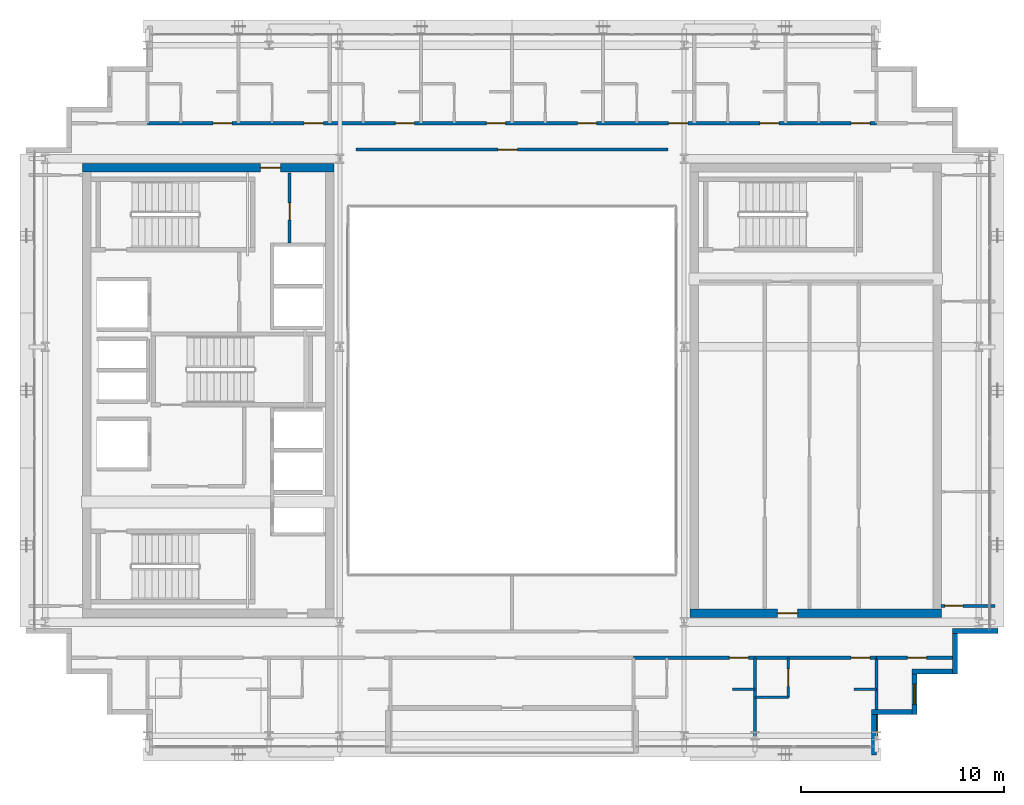
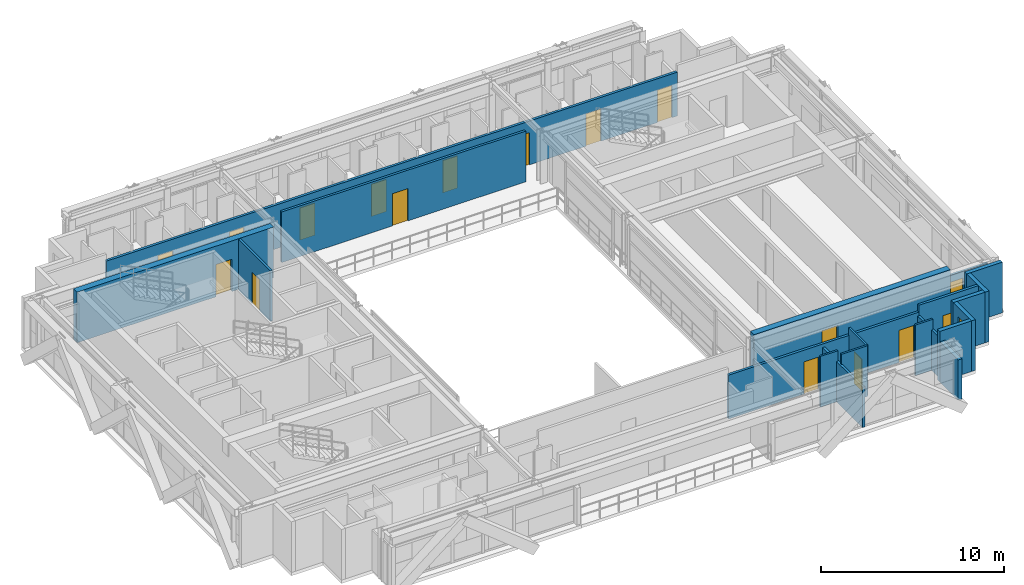
# One storey, part 23 of 29: 20 walls, 17 doors, 1 window, 18 openings.
"""IFC4 building model written with IfcOpenShell, lengths in metres."""

import ifcopenshell
import ifcopenshell.guid

model = None  # the IFC model being written
_history = None  # IfcOwnerHistory: only IFC2X3 demands one
_inside = {}  # id of a spatial element -> (the spatial element, [elements in it])
_under = {}  # id of a project, library or spatial element -> (it, [spatial elements below it])
_declared = {}  # id of a project -> (the project, [libraries it declares])
_typed = {}  # id of a type object -> (the type object, [elements of that type])
_made_of = {}  # id of a material, layer set ... -> (it, [elements and type objects made of it])


def new_model(schema):
    """Start an empty IFC model of exactly this schema.

    Asked for "IFC4X3", IfcOpenShell would pick the latest addendum, in which some entities
    have other attributes; the version numbers below select the first issue.
    IFC2X3 requires an IfcOwnerHistory on every rooted entity: one is made here for all.
    """
    global model, _history
    if schema == "IFC4X3":
        model = ifcopenshell.file(schema_version=(4, 3, 0, 0))
    else:
        model = ifcopenshell.file(schema=schema)
    _inside.clear()
    _under.clear()
    _declared.clear()
    _typed.clear()
    _made_of.clear()
    _history = None
    if model.schema == "IFC2X3":
        org = make("IfcOrganization", Name="unknown")
        user = make(
            "IfcPersonAndOrganization",
            ThePerson=make("IfcPerson", FamilyName="unknown"),
            TheOrganization=org,
        )
        app = make(
            "IfcApplication",
            ApplicationDeveloper=org,
            Version="unknown",
            ApplicationFullName="unknown",
            ApplicationIdentifier="unknown",
        )
        _history = make(
            "IfcOwnerHistory",
            OwningUser=user,
            OwningApplication=app,
            ChangeAction="ADDED",
            CreationDate=0,
        )
    return model


def make(cls, **values):
    """One entity of the class cls with the attributes given. An attribute that is None is left unset."""
    return model.create_entity(
        cls, **{name: value for name, value in values.items() if value is not None}
    )


def rooted(cls, **values):
    """An entity with a GlobalId (a new one), such as an element, a storey or a relation."""
    return make(cls, GlobalId=ifcopenshell.guid.new(), OwnerHistory=_history, **values)


def si_unit(unit_type, name, prefix=None):
    """IfcSIUnit, for example si_unit("LENGTHUNIT", "METRE", prefix="MILLI")."""
    return make("IfcSIUnit", UnitType=unit_type, Prefix=prefix, Name=name)


def assignment(units):
    """IfcUnitAssignment: the units of a project."""
    return None if units is None else make("IfcUnitAssignment", Units=units)


def point(xyz):
    """IfcCartesianPoint."""
    return None if xyz is None else make("IfcCartesianPoint", Coordinates=xyz)


def direction(xyz):
    """IfcDirection."""
    return None if xyz is None else make("IfcDirection", DirectionRatios=xyz)


def frame(location, z_axis=None, x_axis=None):
    """IfcAxis2Placement3D, a coordinate frame: its origin and axes. An axis left out is left unset."""
    return make(
        "IfcAxis2Placement3D",
        Location=point(location),
        Axis=direction(z_axis),
        RefDirection=direction(x_axis),
    )


def frame_2d(location, x_axis=None):
    """IfcAxis2Placement2D, a coordinate frame in the plane: its origin and x axis."""
    return make(
        "IfcAxis2Placement2D", Location=point(location), RefDirection=direction(x_axis)
    )


def origin():
    """The frame at (0, 0, 0) with its axes left unset."""
    return frame((0.0, 0.0, 0.0))


def place(relative_to, where):
    """IfcLocalPlacement: puts the frame where relative to a parent placement (None: the world)."""
    return make(
        "IfcLocalPlacement", PlacementRelTo=relative_to, RelativePlacement=where
    )


def context(
    kind, dimensions, precision=None, world=None, true_north=None, identifier=None
):
    """IfcGeometricRepresentationContext, for example the 3D "Model" context."""
    return make(
        "IfcGeometricRepresentationContext",
        ContextIdentifier=identifier,
        ContextType=kind,
        CoordinateSpaceDimension=dimensions,
        Precision=precision,
        WorldCoordinateSystem=world,
        TrueNorth=true_north,
    )


def subcontext(parent, identifier, kind, view, scale=None):
    """IfcGeometricRepresentationSubContext, for example "Body" below "Model"."""
    return make(
        "IfcGeometricRepresentationSubContext",
        ContextIdentifier=identifier,
        ContextType=kind,
        ParentContext=parent,
        TargetScale=scale,
        TargetView=view,
    )


def project(units=None, contexts=None):
    """IfcProject with its units and contexts."""
    return rooted(
        "IfcProject",
        Name="project",
        RepresentationContexts=contexts,
        UnitsInContext=assignment(units),
    )


def spatial(cls, under=None, at=None, **own):
    """A site, building, storey or space (cls), placed at a placement, below another one or the project."""
    s = rooted(cls, ObjectPlacement=at, **own)
    if under is not None:
        _under.setdefault(under.id(), (under, []))[1].append(s)
    return s


def profile(cls, at=None, kind="AREA", **sizes):
    """A parametric profile (cls). Its sizes go by their IFC names, for example OverallWidth=200.0."""
    return make(cls, ProfileType=kind, Position=at, **sizes)


def rectangle(**sizes):
    """IfcRectangleProfileDef."""
    return profile("IfcRectangleProfileDef", **sizes)


def extrude(swept, where, along, depth):
    """IfcExtrudedAreaSolid: the profile swept, set in the frame where, extruded along a direction by depth."""
    return make(
        "IfcExtrudedAreaSolid",
        SweptArea=swept,
        Position=where,
        ExtrudedDirection=direction(along),
        Depth=depth,
    )


def shape(context_of_items, identifier, shape_type, items):
    """IfcShapeRepresentation: the items that make up one representation, for example the "Body"."""
    return make(
        "IfcShapeRepresentation",
        ContextOfItems=context_of_items,
        RepresentationIdentifier=identifier,
        RepresentationType=shape_type,
        Items=items,
    )


def source(mapping_origin, context_of_items, identifier, shape_type, items):
    """IfcRepresentationMap: a shape defined once, which mapped items show again and again."""
    return make(
        "IfcRepresentationMap",
        MappingOrigin=mapping_origin,
        MappedRepresentation=shape(context_of_items, identifier, shape_type, items),
    )


def transform(
    local_origin,
    x_axis=None,
    y_axis=None,
    z_axis=None,
    scale=None,
    scale2=None,
    scale3=None,
    uniform=True,
):
    """IfcCartesianTransformationOperator3D, or its non-uniform kind. x_axis, y_axis, z_axis: its Axis1, 2, 3."""
    if uniform:
        return make(
            "IfcCartesianTransformationOperator3D",
            Axis1=direction(x_axis),
            Axis2=direction(y_axis),
            LocalOrigin=point(local_origin),
            Scale=scale,
            Axis3=direction(z_axis),
        )
    return make(
        "IfcCartesianTransformationOperator3DnonUniform",
        Axis1=direction(x_axis),
        Axis2=direction(y_axis),
        LocalOrigin=point(local_origin),
        Scale=scale,
        Axis3=direction(z_axis),
        Scale2=scale2,
        Scale3=scale3,
    )


def mapped(mapping_source, mapping_target):
    """IfcMappedItem: shows the shape of a source again, moved by a transform."""
    return make(
        "IfcMappedItem", MappingSource=mapping_source, MappingTarget=mapping_target
    )


def material(Name=None, Category=None):
    """IfcMaterial."""
    return make("IfcMaterial", Name=Name, Category=Category)


def layer(
    of_material, thickness, ventilated=None, Name=None, Category=None, Priority=None
):
    """IfcMaterialLayer: one layer of a wall or slab, of a material (None: an air gap)."""
    return make(
        "IfcMaterialLayer",
        Material=of_material,
        LayerThickness=thickness,
        IsVentilated=ventilated,
        Name=Name,
        Category=Category,
        Priority=Priority,
    )


def layer_set(layers, Name=None):
    """IfcMaterialLayerSet."""
    return make("IfcMaterialLayerSet", MaterialLayers=layers, LayerSetName=Name)


def made_of(thing, what):
    """Note that an element or type object is made of a material, layer set ...; save() writes the relation."""
    if what is not None:
        _made_of.setdefault(what.id(), (what, []))[1].append(thing)
    return thing


def type_object(cls, material=None, **own):
    """A type object (cls), such as IfcWallType, which elements share."""
    return made_of(rooted(cls, **own), material)


def element(
    cls,
    number,
    at=None,
    inside=None,
    cuts=None,
    type_object=None,
    material=None,
    context=None,
    identifier="Body",
    shape_type=None,
    held_by="IfcProductDefinitionShape",
    body=None,
    shapes=None,
    **own,
):
    """One element of the class cls, such as IfcWall. Its Tag is "e" and its number.

    at: its placement. inside: the storey or other place that contains it. cuts: it is an
    opening in that element (IfcRelVoidsElement). A single representation is given by context,
    identifier, shape_type and body (its items); several are given by shapes. held_by: the class
    of the entity that holds the representations. save() writes the other relations.
    """
    e = rooted(cls, Tag="e%d" % number, ObjectPlacement=at, **own)
    if body is not None:
        shapes = [shape(context, identifier, shape_type, body)]
    if shapes is not None:
        e.Representation = make(held_by, Representations=shapes)
    if inside is not None:
        _inside.setdefault(inside.id(), (inside, []))[1].append(e)
    if cuts is not None:
        rooted(
            "IfcRelVoidsElement", RelatingBuildingElement=cuts, RelatedOpeningElement=e
        )
    if type_object is not None:
        _typed.setdefault(type_object.id(), (type_object, []))[1].append(e)
    return made_of(e, material)


def fill(opening, filler):
    """IfcRelFillsElement: the door or window that sits in an opening."""
    return rooted(
        "IfcRelFillsElement",
        RelatingOpeningElement=opening,
        RelatedBuildingElement=filler,
    )


def aggregate(whole, parts):
    """IfcRelAggregates: a whole, such as a stair, and the parts it consists of."""
    return rooted("IfcRelAggregates", RelatingObject=whole, RelatedObjects=parts)


def save(model, path):
    """Write the relations noted so far, then the file.

    IfcRelAggregates (storeys below a building ...), IfcRelContainedInSpatialStructure (elements
    in a storey), IfcRelDefinesByType, IfcRelAssociatesMaterial and IfcRelDeclares: one each for
    every whole, place, type object, material and project.
    """
    for whole, parts in _under.values():
        aggregate(whole, parts)
    for where, things in _inside.values():
        rooted(
            "IfcRelContainedInSpatialStructure",
            RelatedElements=things,
            RelatingStructure=where,
        )
    for kind, things in _typed.values():
        rooted("IfcRelDefinesByType", RelatedObjects=things, RelatingType=kind)
    for what, things in _made_of.values():
        rooted("IfcRelAssociatesMaterial", RelatedObjects=things, RelatingMaterial=what)
    for by, libraries in _declared.values():
        rooted("IfcRelDeclares", RelatingContext=by, RelatedDefinitions=libraries)
    model.write(path)


model = new_model("IFC4")

# Units and contexts
model_context = context("Model", 3, precision=1e-05, world=origin(), true_north=direction((0.0, 1.0)))
body_context = subcontext(model_context, "Body", "Model", "MODEL_VIEW")
ifc_project = project(units=[si_unit("LENGTHUNIT", "METRE"), si_unit("AREAUNIT", "SQUARE_METRE"), si_unit("VOLUMEUNIT", "CUBIC_METRE"), si_unit("PLANEANGLEUNIT", "RADIAN"), si_unit("MASSUNIT", "GRAM", prefix="KILO")], contexts=[model_context])

# Site, building, storey
site_placement = place(None, origin())
site = spatial("IfcSite", under=ifc_project, at=site_placement, CompositionType="ELEMENT")
building_placement = place(site_placement, origin())
building = spatial("IfcBuilding", under=site, at=building_placement, Name="Ocotamira Hotel", CompositionType="ELEMENT")
storey_placement = place(building_placement, frame((0.0, 0.0, 236.39990234375)))
storey = spatial("IfcBuildingStorey", under=building, at=storey_placement, Name="L59", CompositionType="ELEMENT", Elevation=236.39990234375)

# Wall, opening, door
ifc_material_1 = material(Name="Concrete C50/60", Category="concrete")
ifc_layer_1 = layer(ifc_material_1, 0.39990234375)
ifc_layer_set_1 = layer_set([ifc_layer_1], Name="Concrete C50/60")
wall_type_1 = type_object("IfcWallType", Name="WL-CORE-400", PredefinedType="SHEAR", material=ifc_layer_set_1)
wall_1_placement = place(storey_placement, frame((10.800048828125, 37.0, 0.0), z_axis=(0.0, 0.0, 1.0), x_axis=(1.0, 0.0, 0.0)))
wall_1 = element("IfcWall", 1, at=wall_1_placement, inside=storey, type_object=wall_type_1, Name="L59 Shear Core Wall WCORE-N", PredefinedType="SHEAR", context=body_context, shape_type="SweptSolid", body=[
    extrude(rectangle(XDim=12.39990234375, YDim=0.39990234375, at=frame_2d((6.199951171875, 0.0))), origin(), (0.0, 0.0, 1.0), 3.380126953125),
])
opening_1_placement = place(wall_1_placement, frame((8.780029296875, 0.0, 0.0)))
opening_1 = element("IfcOpeningElement", 2, at=opening_1_placement, cuts=wall_1, Name="Opening D-FR2", PredefinedType="OPENING", context=body_context, shape_type="SweptSolid", body=[
    extrude(rectangle(XDim=1.0, YDim=2.14990234375, at=frame_2d((0.5, 1.074951171875))), frame((0.0, 0.2099609375, 0.0), z_axis=(0.0, -1.0, 0.0), x_axis=(1.0, 0.0, 0.0)), (0.0, 0.0, 1.0), 0.419921875),
])
ifc_material_2 = material(Name="Fire-rated acoustic timber-veneer door", Category="wood")
door_type_1 = type_object("IfcDoorType", Name="DR-FIRE-1000", OperationType="NOTDEFINED", PredefinedType="DOOR", material=ifc_material_2)
shared_shape_1 = source(origin(), body_context, "Body", "SweptSolid", [
    extrude(rectangle(XDim=1.0, YDim=2.14990234375, at=frame_2d((0.5, 1.074951171875))), frame((0.0, 0.02490234375, 0.0), z_axis=(0.0, -1.0, 0.0), x_axis=(1.0, 0.0, 0.0)), (0.0, 0.0, 1.0), 0.050048828125),
])
door_1_placement = place(opening_1_placement, origin())
door_1 = element("IfcDoor", 3, at=door_1_placement, inside=storey, type_object=door_type_1, Name="L59 Door ID-L59-WLOB-N-D [ID-L59-WLOB-N-D]", OperationType="SINGLE_SWING_RIGHT", OverallHeight=2.14990234375, OverallWidth=1.0, PredefinedType="DOOR", context=body_context, shape_type="MappedRepresentation", body=[
    mapped(shared_shape_1, transform((0.0, 0.0, 0.0), scale=1.0)),
])
fill(opening_1, door_1)

wall_2_placement = place(storey_placement, frame((40.800048828125, 15.0, 0.0), z_axis=(0.0, 0.0, 1.0), x_axis=(1.0, 0.0, 0.0)))
wall_2 = element("IfcWall", 4, at=wall_2_placement, inside=storey, type_object=wall_type_1, Name="L59 Shear Core Wall ECORE-S", PredefinedType="SHEAR", context=body_context, shape_type="SweptSolid", body=[
    extrude(rectangle(XDim=12.39990234375, YDim=0.39990234375, at=frame_2d((6.199951171875, 0.0))), origin(), (0.0, 0.0, 1.0), 3.380126953125),
])
opening_2_placement = place(wall_2_placement, frame((4.300048828125, 0.0, 0.0)))
opening_2 = element("IfcOpeningElement", 5, at=opening_2_placement, cuts=wall_2, Name="Opening D-FR2", PredefinedType="OPENING", context=body_context, shape_type="SweptSolid", body=[
    extrude(rectangle(XDim=1.0, YDim=2.14990234375, at=frame_2d((0.5, 1.074951171875))), frame((0.0, 0.2099609375, 0.0), z_axis=(0.0, -1.0, 0.0), x_axis=(1.0, 0.0, 0.0)), (0.0, 0.0, 1.0), 0.419921875),
])
door_2_placement = place(opening_2_placement, origin())
door_2 = element("IfcDoor", 6, at=door_2_placement, inside=storey, type_object=door_type_1, Name="L59 Door ID-L59-ELOB-S-D [ID-L59-ELOB-S-D]", OperationType="SINGLE_SWING_RIGHT", OverallHeight=2.14990234375, OverallWidth=1.0, PredefinedType="DOOR", context=body_context, shape_type="MappedRepresentation", body=[
    mapped(shared_shape_1, transform((0.0, 0.0, 0.0), scale=1.0)),
])
fill(opening_2, door_2)

# Walls
ifc_material_3 = material(Name="Precast concrete C45/55", Category="concrete")
ifc_layer_2 = layer(ifc_material_3, 0.25)
ifc_layer_set_2 = layer_set([ifc_layer_2], Name="Precast concrete C45/55")
wall_type_2 = type_object("IfcWallType", Name="WL-EXT-SER-250", PredefinedType="SOLIDWALL", material=ifc_layer_set_2)
wall_3_placement = place(storey_placement, frame((49.875, 8.0, 0.0), z_axis=(0.0, 0.0, 1.0), x_axis=(0.0, 1.0, 0.0)))
element("IfcWall", 7, at=wall_3_placement, inside=storey, type_object=wall_type_2, Name="L59 Serrated Corner Wall 01", PredefinedType="SOLIDWALL", context=body_context, shape_type="SweptSolid", body=[
    extrude(rectangle(XDim=2.0, YDim=0.25, at=frame_2d((1.0, 0.0))), origin(), (0.0, 0.0, 1.0), 2.68701171875),
])
wall_4_placement = place(storey_placement, frame((49.75, 10.125, 0.0), z_axis=(0.0, 0.0, 1.0), x_axis=(1.0, 0.0, 0.0)))
element("IfcWall", 8, at=wall_4_placement, inside=storey, type_object=wall_type_2, Name="L59 Serrated Corner Wall 02", PredefinedType="SOLIDWALL", context=body_context, shape_type="SweptSolid", body=[
    extrude(rectangle(XDim=2.0, YDim=0.25, at=frame_2d((1.0, 0.0))), origin(), (0.0, 0.0, 1.0), 3.380126953125),
])

# Wall, opening, window
wall_5_placement = place(storey_placement, frame((51.875, 10.0, 0.0), z_axis=(0.0, 0.0, 1.0), x_axis=(0.0, 1.0, 0.0)))
wall_5 = element("IfcWall", 9, at=wall_5_placement, inside=storey, type_object=wall_type_2, Name="L59 Serrated Corner Wall 03", PredefinedType="SOLIDWALL", context=body_context, shape_type="SweptSolid", body=[
    extrude(rectangle(XDim=2.0, YDim=0.25, at=frame_2d((1.0, 0.0))), origin(), (0.0, 0.0, 1.0), 3.380126953125),
])
opening_3_placement = place(wall_5_placement, frame((0.5, 0.0, 0.85009765625)))
opening_3 = element("IfcOpeningElement", 10, at=opening_3_placement, cuts=wall_5, Name="Opening WN-2", PredefinedType="OPENING", context=body_context, shape_type="SweptSolid", body=[
    extrude(rectangle(XDim=1.0, YDim=1.89990234375, at=frame_2d((0.5, 0.949951171875))), frame((0.0, 0.135009765625, 0.0), z_axis=(0.0, -1.0, 0.0), x_axis=(1.0, 0.0, 0.0)), (0.0, 0.0, 1.0), 0.27001953125),
])
ifc_material_4 = material(Name="Double-silver low-E solar glass", Category="glass")
window_type = type_object("IfcWindowType", Name="WIN-SER-1100", PartitioningType="SINGLE_PANEL", PredefinedType="WINDOW", material=ifc_material_4)
shared_shape_2 = source(origin(), body_context, "Body", "SweptSolid", [
    extrude(rectangle(XDim=1.0, YDim=1.89990234375, at=frame_2d((0.5, 0.949951171875))), frame((0.0, 0.030029296875, 0.0), z_axis=(0.0, -1.0, 0.0), x_axis=(1.0, 0.0, 0.0)), (0.0, 0.0, 1.0), 0.06005859375),
])
window_placement = place(opening_3_placement, origin())
window = element("IfcWindow", 11, at=window_placement, inside=storey, type_object=window_type, Name="L59 Serrated Corner Window 03", OverallHeight=1.89990234375, OverallWidth=1.0, PartitioningType="SINGLE_PANEL", PredefinedType="WINDOW", context=body_context, shape_type="MappedRepresentation", body=[
    mapped(shared_shape_2, transform((0.0, 0.0, 0.0), scale=1.0)),
])
fill(opening_3, window)

# Walls
for number, where, z_axis, x_axis, name in (
    (12, (51.75, 12.125, 0.0), (0.0, 0.0, 1.0), (1.0, 0.0, 0.0), "L59 Serrated Corner Wall 04"),
    (13, (53.875, 12.0, 0.0), (0.0, 0.0, 1.0), (0.0, 1.0, 0.0), "L59 Serrated Corner Wall 05"),
):
    element("IfcWall", number, at=place(storey_placement, frame(where, z_axis=z_axis, x_axis=x_axis)), inside=storey, type_object=wall_type_2, Name=name, PredefinedType="SOLIDWALL", context=body_context, shape_type="SweptSolid", body=[
        extrude(rectangle(XDim=2.0, YDim=0.25, at=frame_2d((1.0, 0.0))), origin(), (0.0, 0.0, 1.0), 3.380126953125),
    ])
wall_6_placement = place(storey_placement, frame((53.75, 14.125, 0.0), z_axis=(0.0, 0.0, 1.0), x_axis=(1.0, 0.0, 0.0)))
element("IfcWall", 14, at=wall_6_placement, inside=storey, type_object=wall_type_2, Name="L59 Serrated Corner Wall 06", PredefinedType="SOLIDWALL", context=body_context, shape_type="SweptSolid", body=[
    extrude(rectangle(XDim=2.25, YDim=0.25, at=frame_2d((1.125, 0.0))), origin(), (0.0, 0.0, 1.0), 3.380126953125),
])

# Wall, openings, doors
ifc_material_5 = material(Name="Acoustic double-layer fire gypsum board partition", Category="gypsum")
ifc_layer_3 = layer(ifc_material_5, 0.159912109375)
ifc_layer_set_3 = layer_set([ifc_layer_3], Name="Acoustic double-layer fire gypsum board partition")
wall_type_3 = type_object("IfcWallType", Name="WL-FIRE-160", PredefinedType="PARTITIONING", material=ifc_layer_set_3)
wall_7_placement = place(storey_placement, frame((38.0, 12.800048828125, 0.0), z_axis=(0.0, 0.0, 1.0), x_axis=(1.0, 0.0, 0.0)))
wall_7 = element("IfcWall", 15, at=wall_7_placement, inside=storey, type_object=wall_type_3, Name="L59 Interior Wall PW-L59-Z4BSE-CORRW", PredefinedType="PARTITIONING", context=body_context, shape_type="SweptSolid", body=[
    extrude(rectangle(XDim=12.0, YDim=0.159912109375, at=frame_2d((6.0, 0.0))), origin(), (0.0, 0.0, 1.0), 2.923095703125),
])
opening_4_placement = place(wall_7_placement, frame((4.739990234375, 0.0, 0.0)))
opening_4 = element("IfcOpeningElement", 16, at=opening_4_placement, cuts=wall_7, Name="Opening D-GR1", PredefinedType="OPENING", context=body_context, shape_type="SweptSolid", body=[
    extrude(rectangle(XDim=0.93994140625, YDim=2.14990234375, at=frame_2d((0.469970703125, 1.074951171875))), frame((0.0, 0.08984375, 0.0), z_axis=(0.0, -1.0, 0.0), x_axis=(1.0, 0.0, 0.0)), (0.0, 0.0, 1.0), 0.179931640625),
])
opening_5_placement = place(wall_7_placement, frame((10.739990234375, 0.0, 0.0)))
opening_5 = element("IfcOpeningElement", 17, at=opening_5_placement, cuts=wall_7, Name="Opening D-GR1", PredefinedType="OPENING", context=body_context, shape_type="SweptSolid", body=[
    extrude(rectangle(XDim=0.93994140625, YDim=2.14990234375, at=frame_2d((0.469970703125, 1.074951171875))), frame((0.0, 0.08984375, 0.0), z_axis=(0.0, -1.0, 0.0), x_axis=(1.0, 0.0, 0.0)), (0.0, 0.0, 1.0), 0.179931640625),
])
ifc_material_6 = material(Name="Solid-core walnut suite entrance fire door", Category="wood")
door_type_2 = type_object("IfcDoorType", Name="DR-GUEST-940", OperationType="NOTDEFINED", PredefinedType="DOOR", material=ifc_material_6)
shared_shape_3 = source(origin(), body_context, "Body", "SweptSolid", [
    extrude(rectangle(XDim=0.93994140625, YDim=2.14990234375, at=frame_2d((0.469970703125, 1.074951171875))), frame((0.0, 0.02490234375, 0.0), z_axis=(0.0, -1.0, 0.0), x_axis=(1.0, 0.0, 0.0)), (0.0, 0.0, 1.0), 0.050048828125),
])
door_3_placement = place(opening_4_placement, origin())
door_3 = element("IfcDoor", 18, at=door_3_placement, inside=storey, type_object=door_type_2, Name="L59 Door ID-L59-Z4BSE-RMD1 [ID-L59-Z4BSE-RMD1]", OperationType="SINGLE_SWING_LEFT", OverallHeight=2.14990234375, OverallWidth=0.93994140625, PredefinedType="DOOR", context=body_context, shape_type="MappedRepresentation", body=[
    mapped(shared_shape_3, transform((0.0, 0.0, 0.0), scale=1.0)),
])
fill(opening_4, door_3)
door_4_placement = place(opening_5_placement, origin())
door_4 = element("IfcDoor", 19, at=door_4_placement, inside=storey, type_object=door_type_2, Name="L59 Door ID-L59-Z4BSE-RMD2 [ID-L59-Z4BSE-RMD2]", OperationType="SINGLE_SWING_RIGHT", OverallHeight=2.14990234375, OverallWidth=0.93994140625, PredefinedType="DOOR", context=body_context, shape_type="MappedRepresentation", body=[
    mapped(shared_shape_3, transform((0.0, 0.0, 0.0), scale=1.0)),
])
fill(opening_5, door_4)

wall_8_placement = place(storey_placement, frame((14.0, 39.199951171875, 0.0), z_axis=(0.0, 0.0, 1.0), x_axis=(1.0, 0.0, 0.0)))
wall_8 = element("IfcWall", 20, at=wall_8_placement, inside=storey, type_object=wall_type_3, Name="L59 Interior Wall PW-L59-Z4BN-CORRW", PredefinedType="PARTITIONING", context=body_context, shape_type="SweptSolid", body=[
    extrude(rectangle(XDim=36.0, YDim=0.159912109375, at=frame_2d((18.0, 0.0))), origin(), (0.0, 0.0, 1.0), 2.923095703125),
])
opening_6_placement = place(wall_8_placement, frame((3.239990234375, 0.0, 0.0)))
opening_6 = element("IfcOpeningElement", 21, at=opening_6_placement, cuts=wall_8, Name="Opening D-GR1", PredefinedType="OPENING", context=body_context, shape_type="SweptSolid", body=[
    extrude(rectangle(XDim=0.93994140625, YDim=2.14990234375, at=frame_2d((0.469970703125, 1.074951171875))), frame((0.0, 0.08984375, 0.0), z_axis=(0.0, -1.0, 0.0), x_axis=(1.0, 0.0, 0.0)), (0.0, 0.0, 1.0), 0.179931640625),
])
opening_7_placement = place(wall_8_placement, frame((7.739990234375, 0.0, 0.0)))
opening_7 = element("IfcOpeningElement", 22, at=opening_7_placement, cuts=wall_8, Name="Opening D-GR1", PredefinedType="OPENING", context=body_context, shape_type="SweptSolid", body=[
    extrude(rectangle(XDim=0.93994140625, YDim=2.14990234375, at=frame_2d((0.469970703125, 1.074951171875))), frame((0.0, 0.08984375, 0.0), z_axis=(0.0, -1.0, 0.0), x_axis=(1.0, 0.0, 0.0)), (0.0, 0.0, 1.0), 0.179931640625),
])
opening_8_placement = place(wall_8_placement, frame((12.239990234375, 0.0, 0.0)))
opening_8 = element("IfcOpeningElement", 23, at=opening_8_placement, cuts=wall_8, Name="Opening D-GR1", PredefinedType="OPENING", context=body_context, shape_type="SweptSolid", body=[
    extrude(rectangle(XDim=0.93994140625, YDim=2.14990234375, at=frame_2d((0.469970703125, 1.074951171875))), frame((0.0, 0.08984375, 0.0), z_axis=(0.0, -1.0, 0.0), x_axis=(1.0, 0.0, 0.0)), (0.0, 0.0, 1.0), 0.179931640625),
])
opening_9_placement = place(wall_8_placement, frame((16.739990234375, 0.0, 0.0)))
opening_9 = element("IfcOpeningElement", 24, at=opening_9_placement, cuts=wall_8, Name="Opening D-GR1", PredefinedType="OPENING", context=body_context, shape_type="SweptSolid", body=[
    extrude(rectangle(XDim=0.93994140625, YDim=2.14990234375, at=frame_2d((0.469970703125, 1.074951171875))), frame((0.0, 0.08984375, 0.0), z_axis=(0.0, -1.0, 0.0), x_axis=(1.0, 0.0, 0.0)), (0.0, 0.0, 1.0), 0.179931640625),
])
opening_10_placement = place(wall_8_placement, frame((21.239990234375, 0.0, 0.0)))
opening_10 = element("IfcOpeningElement", 25, at=opening_10_placement, cuts=wall_8, Name="Opening D-GR1", PredefinedType="OPENING", context=body_context, shape_type="SweptSolid", body=[
    extrude(rectangle(XDim=0.93994140625, YDim=2.14990234375, at=frame_2d((0.469970703125, 1.074951171875))), frame((0.0, 0.08984375, 0.0), z_axis=(0.0, -1.0, 0.0), x_axis=(1.0, 0.0, 0.0)), (0.0, 0.0, 1.0), 0.179931640625),
])
opening_11_placement = place(wall_8_placement, frame((25.739990234375, 0.0, 0.0)))
opening_11 = element("IfcOpeningElement", 26, at=opening_11_placement, cuts=wall_8, Name="Opening D-GR1", PredefinedType="OPENING", context=body_context, shape_type="SweptSolid", body=[
    extrude(rectangle(XDim=0.93994140625, YDim=2.14990234375, at=frame_2d((0.469970703125, 1.074951171875))), frame((0.0, 0.08984375, 0.0), z_axis=(0.0, -1.0, 0.0), x_axis=(1.0, 0.0, 0.0)), (0.0, 0.0, 1.0), 0.179931640625),
])
opening_12_placement = place(wall_8_placement, frame((30.239990234375, 0.0, 0.0)))
opening_12 = element("IfcOpeningElement", 27, at=opening_12_placement, cuts=wall_8, Name="Opening D-GR1", PredefinedType="OPENING", context=body_context, shape_type="SweptSolid", body=[
    extrude(rectangle(XDim=0.93994140625, YDim=2.14990234375, at=frame_2d((0.469970703125, 1.074951171875))), frame((0.0, 0.08984375, 0.0), z_axis=(0.0, -1.0, 0.0), x_axis=(1.0, 0.0, 0.0)), (0.0, 0.0, 1.0), 0.179931640625),
])
opening_13_placement = place(wall_8_placement, frame((34.739990234375, 0.0, 0.0)))
opening_13 = element("IfcOpeningElement", 28, at=opening_13_placement, cuts=wall_8, Name="Opening D-GR1", PredefinedType="OPENING", context=body_context, shape_type="SweptSolid", body=[
    extrude(rectangle(XDim=0.93994140625, YDim=2.14990234375, at=frame_2d((0.469970703125, 1.074951171875))), frame((0.0, 0.08984375, 0.0), z_axis=(0.0, -1.0, 0.0), x_axis=(1.0, 0.0, 0.0)), (0.0, 0.0, 1.0), 0.179931640625),
])
door_5_placement = place(opening_6_placement, origin())
door_5 = element("IfcDoor", 29, at=door_5_placement, inside=storey, type_object=door_type_2, Name="L59 Door ID-L59-Z4BN-RMD1 [ID-L59-Z4BN-RMD1]", OperationType="SINGLE_SWING_LEFT", OverallHeight=2.14990234375, OverallWidth=0.93994140625, PredefinedType="DOOR", context=body_context, shape_type="MappedRepresentation", body=[
    mapped(shared_shape_3, transform((0.0, 0.0, 0.0), scale=1.0)),
])
fill(opening_6, door_5)
door_6_placement = place(opening_7_placement, origin())
door_6 = element("IfcDoor", 30, at=door_6_placement, inside=storey, type_object=door_type_2, Name="L59 Door ID-L59-Z4BN-RMD2 [ID-L59-Z4BN-RMD2]", OperationType="SINGLE_SWING_RIGHT", OverallHeight=2.14990234375, OverallWidth=0.93994140625, PredefinedType="DOOR", context=body_context, shape_type="MappedRepresentation", body=[
    mapped(shared_shape_3, transform((0.0, 0.0, 0.0), scale=1.0)),
])
fill(opening_7, door_6)
door_7_placement = place(opening_8_placement, origin())
door_7 = element("IfcDoor", 31, at=door_7_placement, inside=storey, type_object=door_type_2, Name="L59 Door ID-L59-Z4BN-RMD3 [ID-L59-Z4BN-RMD3]", OperationType="SINGLE_SWING_LEFT", OverallHeight=2.14990234375, OverallWidth=0.93994140625, PredefinedType="DOOR", context=body_context, shape_type="MappedRepresentation", body=[
    mapped(shared_shape_3, transform((0.0, 0.0, 0.0), scale=1.0)),
])
fill(opening_8, door_7)
door_8_placement = place(opening_9_placement, origin())
door_8 = element("IfcDoor", 32, at=door_8_placement, inside=storey, type_object=door_type_2, Name="L59 Door ID-L59-Z4BN-RMD4 [ID-L59-Z4BN-RMD4]", OperationType="SINGLE_SWING_RIGHT", OverallHeight=2.14990234375, OverallWidth=0.93994140625, PredefinedType="DOOR", context=body_context, shape_type="MappedRepresentation", body=[
    mapped(shared_shape_3, transform((0.0, 0.0, 0.0), scale=1.0)),
])
fill(opening_9, door_8)
door_9_placement = place(opening_10_placement, origin())
door_9 = element("IfcDoor", 33, at=door_9_placement, inside=storey, type_object=door_type_2, Name="L59 Door ID-L59-Z4BN-RMD5 [ID-L59-Z4BN-RMD5]", OperationType="SINGLE_SWING_LEFT", OverallHeight=2.14990234375, OverallWidth=0.93994140625, PredefinedType="DOOR", context=body_context, shape_type="MappedRepresentation", body=[
    mapped(shared_shape_3, transform((0.0, 0.0, 0.0), scale=1.0)),
])
fill(opening_10, door_9)
door_10_placement = place(opening_11_placement, origin())
door_10 = element("IfcDoor", 34, at=door_10_placement, inside=storey, type_object=door_type_2, Name="L59 Door ID-L59-Z4BN-RMD6 [ID-L59-Z4BN-RMD6]", OperationType="SINGLE_SWING_RIGHT", OverallHeight=2.14990234375, OverallWidth=0.93994140625, PredefinedType="DOOR", context=body_context, shape_type="MappedRepresentation", body=[
    mapped(shared_shape_3, transform((0.0, 0.0, 0.0), scale=1.0)),
])
fill(opening_11, door_10)
door_11_placement = place(opening_12_placement, origin())
door_11 = element("IfcDoor", 35, at=door_11_placement, inside=storey, type_object=door_type_2, Name="L59 Door ID-L59-Z4BN-RMD7 [ID-L59-Z4BN-RMD7]", OperationType="SINGLE_SWING_LEFT", OverallHeight=2.14990234375, OverallWidth=0.93994140625, PredefinedType="DOOR", context=body_context, shape_type="MappedRepresentation", body=[
    mapped(shared_shape_3, transform((0.0, 0.0, 0.0), scale=1.0)),
])
fill(opening_12, door_11)
door_12_placement = place(opening_13_placement, origin())
door_12 = element("IfcDoor", 36, at=door_12_placement, inside=storey, type_object=door_type_2, Name="L59 Door ID-L59-Z4BN-RMD8 [ID-L59-Z4BN-RMD8]", OperationType="SINGLE_SWING_RIGHT", OverallHeight=2.14990234375, OverallWidth=0.93994140625, PredefinedType="DOOR", context=body_context, shape_type="MappedRepresentation", body=[
    mapped(shared_shape_3, transform((0.0, 0.0, 0.0), scale=1.0)),
])
fill(opening_13, door_12)

# Wall, opening, door
wall_9_placement = place(storey_placement, frame((50.0, 12.800048828125, 0.0), z_axis=(0.0, 0.0, 1.0), x_axis=(1.0, 0.0, 0.0)))
wall_9 = element("IfcWall", 37, at=wall_9_placement, inside=storey, type_object=wall_type_3, Name="L59 Interior Wall PW-L59-Z4CSE-CW", PredefinedType="PARTITIONING", context=body_context, shape_type="SweptSolid", body=[
    extrude(rectangle(XDim=4.0, YDim=0.159912109375, at=frame_2d((2.0, 0.0))), origin(), (0.0, 0.0, 1.0), 3.380126953125),
])
opening_14_placement = place(wall_9_placement, frame((1.52001953125, 0.0, 0.0)))
opening_14 = element("IfcOpeningElement", 38, at=opening_14_placement, cuts=wall_9, Name="Opening D-SV4", PredefinedType="OPENING", context=body_context, shape_type="SweptSolid", body=[
    extrude(rectangle(XDim=0.9599609375, YDim=2.14990234375, at=frame_2d((0.47998046875, 1.074951171875))), frame((0.0, 0.08984375, 0.0), z_axis=(0.0, -1.0, 0.0), x_axis=(1.0, 0.0, 0.0)), (0.0, 0.0, 1.0), 0.179931640625),
])
ifc_material_7 = material(Name="Fire-rated accessible walnut salon door", Category="wood")
door_type_3 = type_object("IfcDoorType", Name="DR-SERV-960", OperationType="NOTDEFINED", PredefinedType="DOOR", material=ifc_material_7)
shared_shape_4 = source(origin(), body_context, "Body", "SweptSolid", [
    extrude(rectangle(XDim=0.9599609375, YDim=2.14990234375, at=frame_2d((0.47998046875, 1.074951171875))), frame((0.0, 0.02490234375, 0.0), z_axis=(0.0, -1.0, 0.0), x_axis=(1.0, 0.0, 0.0)), (0.0, 0.0, 1.0), 0.050048828125),
])
door_13_placement = place(opening_14_placement, origin())
door_13 = element("IfcDoor", 39, at=door_13_placement, inside=storey, type_object=door_type_3, Name="L59 Door ID-L59-Z4CSE-CD [ID-L59-Z4CSE-CD]", OperationType="SINGLE_SWING_LEFT", OverallHeight=2.14990234375, OverallWidth=0.9599609375, PredefinedType="DOOR", context=body_context, shape_type="MappedRepresentation", body=[
    mapped(shared_shape_4, transform((0.0, 0.0, 0.0), scale=1.0)),
])
fill(opening_14, door_13)

# Wall
ifc_material_8 = material(Name="Moisture-resistant en-suite tile and gypsum partition", Category="gypsum")
ifc_layer_4 = layer(ifc_material_8, 0.1201171875)
ifc_layer_set_4 = layer_set([ifc_layer_4], Name="Moisture-resistant en-suite tile and gypsum partition")
wall_type_4 = type_object("IfcWallType", Name="WL-PART-120", PredefinedType="PARTITIONING", material=ifc_layer_set_4)
wall_10_placement = place(storey_placement, frame((42.89990234375, 11.25, 0.0), z_axis=(0.0, 0.0, 1.0), x_axis=(1.0, 0.0, 0.0)))
element("IfcWall", 40, at=wall_10_placement, inside=storey, type_object=wall_type_4, Name="L59 Interior Wall PW-L59-Z4BSE-DRN1", PredefinedType="PARTITIONING", context=body_context, shape_type="SweptSolid", body=[
    extrude(rectangle(XDim=1.10009765625, YDim=0.1201171875, at=frame_2d((0.550048828125, 0.0))), origin(), (0.0, 0.0, 1.0), 3.380126953125),
])

# Wall, opening, door
wall_11_placement = place(storey_placement, frame((45.64990234375, 10.85009765625, 0.0), z_axis=(0.0, 0.0, 1.0), x_axis=(0.0, 1.0, 0.0)))
wall_11 = element("IfcWall", 41, at=wall_11_placement, inside=storey, type_object=wall_type_4, Name="L59 Interior Wall PW-L59-Z4BSE-BAE2", PredefinedType="PARTITIONING", context=body_context, shape_type="SweptSolid", body=[
    extrude(rectangle(XDim=1.949951171875, YDim=0.1201171875, at=frame_2d((0.97509765625, 0.0))), origin(), (0.0, 0.0, 1.0), 3.380126953125),
])
opening_15_placement = place(wall_11_placement, frame((0.544921875, 0.0, 0.0)))
opening_15 = element("IfcOpeningElement", 42, at=opening_15_placement, cuts=wall_11, Name="Opening D-BA1", PredefinedType="OPENING", context=body_context, shape_type="SweptSolid", body=[
    extrude(rectangle(XDim=0.860107421875, YDim=2.10009765625, at=frame_2d((0.43017578125, 1.050048828125))), frame((0.0, 0.070068359375, 0.0), z_axis=(0.0, -1.0, 0.0), x_axis=(1.0, 0.0, 0.0)), (0.0, 0.0, 1.0), 0.14013671875),
])
ifc_material_9 = material(Name="Moisture-sealed en-suite timber door", Category="wood")
door_type_4 = type_object("IfcDoorType", Name="DR-BATH-860", OperationType="NOTDEFINED", PredefinedType="DOOR", material=ifc_material_9)
shared_shape_5 = source(origin(), body_context, "Body", "SweptSolid", [
    extrude(rectangle(XDim=0.860107421875, YDim=2.10009765625, at=frame_2d((0.43017578125, 1.050048828125))), frame((0.0, 0.02490234375, 0.0), z_axis=(0.0, -1.0, 0.0), x_axis=(1.0, 0.0, 0.0)), (0.0, 0.0, 1.0), 0.050048828125),
])
door_14_placement = place(opening_15_placement, origin())
door_14 = element("IfcDoor", 43, at=door_14_placement, inside=storey, type_object=door_type_4, Name="L59 Door ID-L59-Z4BSE-BAD2 [ID-L59-Z4BSE-BAD2]", OperationType="SINGLE_SWING_LEFT", OverallHeight=2.10009765625, OverallWidth=0.860107421875, PredefinedType="DOOR", context=body_context, shape_type="MappedRepresentation", body=[
    mapped(shared_shape_5, transform((0.0, 0.0, 0.0), scale=1.0)),
])
fill(opening_15, door_14)

# Walls
wall_12_placement = place(storey_placement, frame((44.0, 10.85009765625, 0.0), z_axis=(0.0, 0.0, 1.0), x_axis=(1.0, 0.0, 0.0)))
element("IfcWall", 44, at=wall_12_placement, inside=storey, type_object=wall_type_4, Name="L59 Interior Wall PW-L59-Z4BSE-BAS2", PredefinedType="PARTITIONING", context=body_context, shape_type="SweptSolid", body=[
    extrude(rectangle(XDim=1.64990234375, YDim=0.1201171875, at=frame_2d((0.824951171875, 0.0))), origin(), (0.0, 0.0, 1.0), 3.380126953125),
])
wall_13_placement = place(storey_placement, frame((48.89990234375, 11.25, 0.0), z_axis=(0.0, 0.0, 1.0), x_axis=(1.0, 0.0, 0.0)))
element("IfcWall", 45, at=wall_13_placement, inside=storey, type_object=wall_type_4, Name="L59 Interior Wall PW-L59-Z4BSE-DRN2", PredefinedType="PARTITIONING", context=body_context, shape_type="SweptSolid", body=[
    extrude(rectangle(XDim=1.10009765625, YDim=0.1201171875, at=frame_2d((0.550048828125, 0.0))), origin(), (0.0, 0.0, 1.0), 3.380126953125),
])

# Wall, opening, door
ifc_material_10 = material(Name="Acoustic hospitality gypsum board partition", Category="gypsum")
ifc_layer_5 = layer(ifc_material_10, 0.14208984375)
ifc_layer_set_5 = layer_set([ifc_layer_5], Name="Acoustic hospitality gypsum board partition")
wall_type_5 = type_object("IfcWallType", Name="WL-PART-142", PredefinedType="PARTITIONING", material=ifc_layer_set_5)
wall_14_placement = place(storey_placement, frame((21.02001953125, 33.280029296875, 0.0), z_axis=(0.0, 0.0, 1.0), x_axis=(0.0, 1.0, 0.0)))
wall_14 = element("IfcWall", 46, at=wall_14_placement, inside=storey, type_object=wall_type_5, Name="L59 Interior Wall PW-L59-WC-NE-W", PredefinedType="PARTITIONING", context=body_context, shape_type="SweptSolid", body=[
    extrude(rectangle(XDim=3.469970703125, YDim=0.14208984375, at=frame_2d((1.73486328125, 0.0))), origin(), (0.0, 0.0, 1.0), 3.380126953125),
])
opening_16_placement = place(wall_14_placement, frame((1.14990234375, 0.0, 0.0)))
opening_16 = element("IfcOpeningElement", 47, at=opening_16_placement, cuts=wall_14, Name="Opening D-SV1", PredefinedType="OPENING", context=body_context, shape_type="SweptSolid", body=[
    extrude(rectangle(XDim=0.840087890625, YDim=2.10009765625, at=frame_2d((0.419921875, 1.050048828125))), frame((0.0, 0.0810546875, 0.0), z_axis=(0.0, -1.0, 0.0), x_axis=(1.0, 0.0, 0.0)), (0.0, 0.0, 1.0), 0.162109375),
])
ifc_material_11 = material(Name="Fire-rated painted steel service door", Category="steel")
door_type_5 = type_object("IfcDoorType", Name="DR-SERV-840", OperationType="NOTDEFINED", PredefinedType="DOOR", material=ifc_material_11)
shared_shape_6 = source(origin(), body_context, "Body", "SweptSolid", [
    extrude(rectangle(XDim=0.840087890625, YDim=2.10009765625, at=frame_2d((0.419921875, 1.050048828125))), frame((0.0, 0.02490234375, 0.0), z_axis=(0.0, -1.0, 0.0), x_axis=(1.0, 0.0, 0.0)), (0.0, 0.0, 1.0), 0.050048828125),
])
door_15_placement = place(opening_16_placement, origin())
door_15 = element("IfcDoor", 48, at=door_15_placement, inside=storey, type_object=door_type_5, Name="L59 Door ID-L59-WC-NE-D [ID-L59-WC-NE-D]", OperationType="SINGLE_SWING_LEFT", OverallHeight=2.10009765625, OverallWidth=0.840087890625, PredefinedType="DOOR", context=body_context, shape_type="MappedRepresentation", body=[
    mapped(shared_shape_6, transform((0.0, 0.0, 0.0), scale=1.0)),
])
fill(opening_16, door_15)

ifc_layer_6 = layer(ifc_material_10, 0.14990234375)
ifc_layer_set_6 = layer_set([ifc_layer_6], Name="Acoustic hospitality gypsum board partition")
wall_type_6 = type_object("IfcWallType", Name="WL-PART-150", PredefinedType="PARTITIONING", material=ifc_layer_set_6)
wall_15_placement = place(storey_placement, frame((24.300048828125, 37.89990234375, 0.0), z_axis=(0.0, 0.0, 1.0), x_axis=(1.0, 0.0, 0.0)))
wall_15 = element("IfcWall", 49, at=wall_15_placement, inside=storey, type_object=wall_type_6, Name="L59 Interior Wall PW-L59-Z4B-ATRNS", PredefinedType="PARTITIONING", context=body_context, shape_type="SweptSolid", body=[
    extrude(rectangle(XDim=15.39990234375, YDim=0.14990234375, at=frame_2d((7.699951171875, 0.0))), origin(), (0.0, 0.0, 1.0), 3.380126953125),
])
opening_17_placement = place(wall_15_placement, frame((7.0, 0.0, 0.0)))
opening_17 = element("IfcOpeningElement", 50, at=opening_17_placement, cuts=wall_15, Name="Opening D-SV4", PredefinedType="OPENING", context=body_context, shape_type="SweptSolid", body=[
    extrude(rectangle(XDim=0.9599609375, YDim=2.14990234375, at=frame_2d((0.47998046875, 1.074951171875))), frame((0.0, 0.0849609375, 0.0), z_axis=(0.0, -1.0, 0.0), x_axis=(1.0, 0.0, 0.0)), (0.0, 0.0, 1.0), 0.169921875),
])
door_16_placement = place(opening_17_placement, origin())
door_16 = element("IfcDoor", 51, at=door_16_placement, inside=storey, type_object=door_type_3, Name="L59 Door ID-L59-Z4B-AND [ID-L59-Z4B-AND]", OperationType="SINGLE_SWING_RIGHT", OverallHeight=2.14990234375, OverallWidth=0.9599609375, PredefinedType="DOOR", context=body_context, shape_type="MappedRepresentation", body=[
    mapped(shared_shape_4, transform((0.0, 0.0, 0.0), scale=1.0)),
])
fill(opening_17, door_16)

wall_16_placement = place(storey_placement, frame((53.179931640625, 15.360107421875, 0.0), z_axis=(0.0, 0.0, 1.0), x_axis=(1.0, 0.0, 0.0)))
wall_16 = element("IfcWall", 52, at=wall_16_placement, inside=storey, type_object=wall_type_6, Name="L59 Interior Wall PW-L59-Z4BE-WS", PredefinedType="PARTITIONING", context=body_context, shape_type="SweptSolid", body=[
    extrude(rectangle(XDim=2.66015625, YDim=0.14990234375, at=frame_2d((1.330078125, 0.0))), origin(), (0.0, 0.0, 1.0), 2.60107421875),
])
opening_18_placement = place(wall_16_placement, frame((0.199951171875, 0.0, 0.0)))
opening_18 = element("IfcOpeningElement", 53, at=opening_18_placement, cuts=wall_16, Name="Opening D-SV2", PredefinedType="OPENING", context=body_context, shape_type="SweptSolid", body=[
    extrude(rectangle(XDim=0.8798828125, YDim=2.14990234375, at=frame_2d((0.43994140625, 1.074951171875))), frame((0.0, 0.0849609375, 0.0), z_axis=(0.0, -1.0, 0.0), x_axis=(1.0, 0.0, 0.0)), (0.0, 0.0, 1.0), 0.169921875),
])
door_type_6 = type_object("IfcDoorType", Name="DR-SERV-880", OperationType="NOTDEFINED", PredefinedType="DOOR", material=ifc_material_11)
shared_shape_7 = source(origin(), body_context, "Body", "SweptSolid", [
    extrude(rectangle(XDim=0.8798828125, YDim=2.14990234375, at=frame_2d((0.43994140625, 1.074951171875))), frame((0.0, 0.02490234375, 0.0), z_axis=(0.0, -1.0, 0.0), x_axis=(1.0, 0.0, 0.0)), (0.0, 0.0, 1.0), 0.050048828125),
])
door_17_placement = place(opening_18_placement, origin())
door_17 = element("IfcDoor", 54, at=door_17_placement, inside=storey, type_object=door_type_6, Name="L59 Door ID-L59-Z4BE-DS [ID-L59-Z4BE-DS]", OperationType="SINGLE_SWING_RIGHT", OverallHeight=2.14990234375, OverallWidth=0.8798828125, PredefinedType="DOOR", context=body_context, shape_type="MappedRepresentation", body=[
    mapped(shared_shape_7, transform((0.0, 0.0, 0.0), scale=1.0)),
])
fill(opening_18, door_17)

# Walls
ifc_material_12 = material(Name="Acoustic double-stud hospitality gypsum partition", Category="gypsum")
ifc_layer_7 = layer(ifc_material_12, 0.159912109375)
ifc_layer_set_7 = layer_set([ifc_layer_7], Name="Acoustic double-stud hospitality gypsum partition")
wall_type_7 = type_object("IfcWallType", Name="WL-PART-160", PredefinedType="PARTITIONING", material=ifc_layer_set_7)
for number, where, z_axis, x_axis, name in (
    (55, (50.0, 8.360107421875, 0.0), (0.0, 0.0, 1.0), (0.0, 1.0, 0.0), "L59 Interior Wall PW-L59-Z4BSE-PWEND"),
    (56, (44.0, 8.360107421875, 0.0), (0.0, 0.0, 1.0), (0.0, 1.0, 0.0), "L59 Interior Wall PW-L59-Z4BSE-PW1"),
):
    element("IfcWall", number, at=place(storey_placement, frame(where, z_axis=z_axis, x_axis=x_axis)), inside=storey, type_object=wall_type_7, Name=name, PredefinedType="PARTITIONING", context=body_context, shape_type="SweptSolid", body=[
        extrude(rectangle(XDim=4.43994140625, YDim=0.159912109375, at=frame_2d((2.219970703125, 0.0))), origin(), (0.0, 0.0, 1.0), 2.68701171875),
    ])

save(model, "model.ifc")
